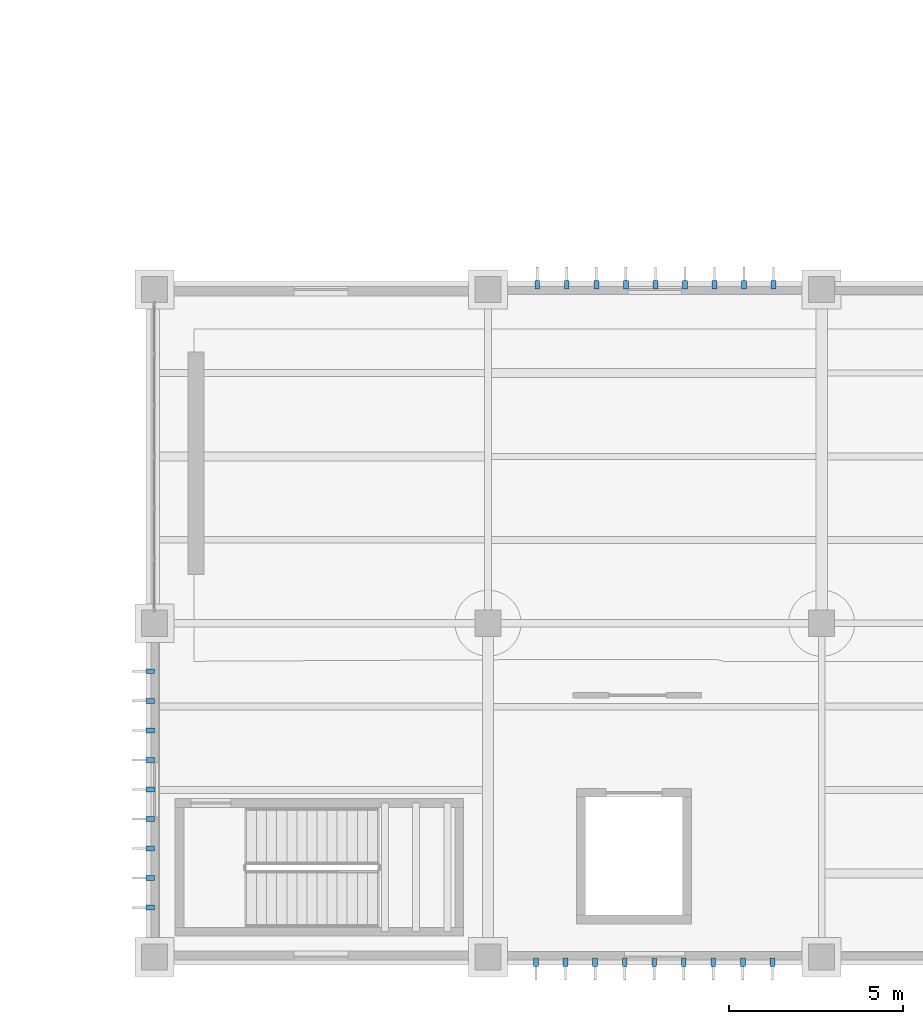
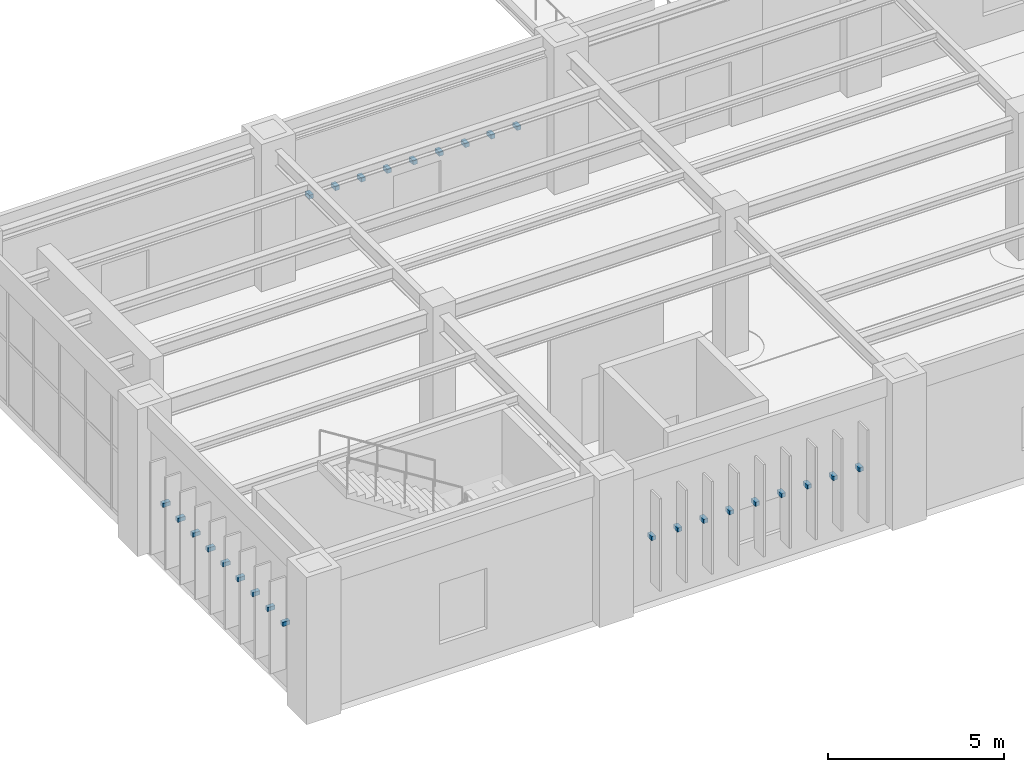
# One storey, part 150 of 174: 27 discrete accessories.
"""IFC4 building model written with IfcOpenShell, lengths in metres."""

from ifc_helpers import new_model, si_unit, direction, frame, origin, origin_2d, place, context, subcontext, project, spatial, rectangle, extrude, material, type_object, element, save


model = new_model("IFC4")

# Units and contexts
model_context = context("Model", 3, precision=1e-05, world=origin(), true_north=direction((0.0, 1.0)))
body_context = subcontext(model_context, "Body", "Model", "MODEL_VIEW")
ifc_project = project(units=[si_unit("LENGTHUNIT", "METRE"), si_unit("AREAUNIT", "SQUARE_METRE"), si_unit("VOLUMEUNIT", "CUBIC_METRE"), si_unit("PLANEANGLEUNIT", "RADIAN"), si_unit("MASSUNIT", "GRAM", prefix="KILO")], contexts=[model_context])

# Site, building, storey
site_placement = place(None, origin())
site = spatial("IfcSite", under=ifc_project, at=site_placement, CompositionType="ELEMENT")
building_placement = place(site_placement, origin())
building = spatial("IfcBuilding", under=site, at=building_placement, Name="Mavantir Sound Aquarium", CompositionType="ELEMENT")
storey_placement = place(building_placement, frame((0.0, 0.0, 5.39990234375)))
storey = spatial("IfcBuildingStorey", under=building, at=storey_placement, Name="L01", CompositionType="ELEMENT", Elevation=5.39990234375)

# Discrete accessories
ifc_material = material(Name="Stainless Steel 316 Marine Facade Bracket", Category="steel")
discrete_accessory_type = type_object("IfcDiscreteAccessoryType", Name="ACC-FIN-BRK", PredefinedType="BRACKET", material=ifc_material)
for number, where, z_axis, x_axis, name in (
    (1, (125.81689453125, 19.3349609375, 2.1865234375), (0.0, 0.0, 1.0), (1.0, 0.0, 0.0), "Solar fin stainless anchor bracket 38"),
    (2, (124.967041015625, 19.3349609375, 2.1865234375), (0.0, 0.0, 1.0), (1.0, 0.0, 0.0), "Solar fin stainless anchor bracket 39"),
    (3, (124.116943359375, 19.3349609375, 2.1865234375), (0.0, 0.0, 1.0), (1.0, 0.0, 0.0), "Solar fin stainless anchor bracket 40"),
    (4, (123.26708984375, 19.3349609375, 2.1865234375), (0.0, 0.0, 1.0), (1.0, 0.0, 0.0), "Solar fin stainless anchor bracket 41"),
    (5, (122.4169921875, 19.3349609375, 2.1865234375), (0.0, 0.0, 1.0), (1.0, 0.0, 0.0), "Solar fin stainless anchor bracket 42"),
    (6, (121.56689453125, 19.3349609375, 2.1865234375), (0.0, 0.0, 1.0), (1.0, 0.0, 0.0), "Solar fin stainless anchor bracket 43"),
    (7, (120.717041015625, 19.3349609375, 2.1865234375), (0.0, 0.0, 1.0), (1.0, 0.0, 0.0), "Solar fin stainless anchor bracket 44"),
    (8, (119.866943359375, 19.3349609375, 2.1865234375), (0.0, 0.0, 1.0), (1.0, 0.0, 0.0), "Solar fin stainless anchor bracket 45"),
    (9, (119.01708984375, 19.3349609375, 2.1865234375), (0.0, 0.0, 1.0), (1.0, 0.0, 0.0), "Solar fin stainless anchor bracket 46"),
    (10, (107.8798828125, 8.217041015625, 2.13330078125), (0.0, 0.0, 1.0), (0.0, 1.0, 0.0), "Solar fin stainless anchor bracket 47"),
    (11, (107.8798828125, 7.366943359375, 2.13330078125), (0.0, 0.0, 1.0), (0.0, 1.0, 0.0), "Solar fin stainless anchor bracket 48"),
    (12, (107.8798828125, 6.51708984375, 2.13330078125), (0.0, 0.0, 1.0), (0.0, 1.0, 0.0), "Solar fin stainless anchor bracket 49"),
    (13, (107.8798828125, 5.6669921875, 2.13330078125), (0.0, 0.0, 1.0), (0.0, 1.0, 0.0), "Solar fin stainless anchor bracket 50"),
    (14, (107.8798828125, 4.81689453125, 2.13330078125), (0.0, 0.0, 1.0), (0.0, 1.0, 0.0), "Solar fin stainless anchor bracket 51"),
    (15, (107.8798828125, 3.967041015625, 2.13330078125), (0.0, 0.0, 1.0), (0.0, 1.0, 0.0), "Solar fin stainless anchor bracket 52"),
    (16, (107.8798828125, 3.116943359375, 2.13330078125), (0.0, 0.0, 1.0), (0.0, 1.0, 0.0), "Solar fin stainless anchor bracket 53"),
    (17, (107.8798828125, 2.26708984375, 2.13330078125), (0.0, 0.0, 1.0), (0.0, 1.0, 0.0), "Solar fin stainless anchor bracket 54"),
    (18, (107.8798828125, 1.4169921875, 2.13330078125), (0.0, 0.0, 1.0), (0.0, 1.0, 0.0), "Solar fin stainless anchor bracket 55"),
    (19, (118.98291015625, -0.155029296875, 2.1865234375), (0.0, 0.0, 1.0), (-1.0, 0.0, 0.0), "Solar fin stainless anchor bracket 56"),
    (20, (119.8330078125, -0.155029296875, 2.1865234375), (0.0, 0.0, 1.0), (-1.0, 0.0, 0.0), "Solar fin stainless anchor bracket 57"),
    (21, (120.68310546875, -0.155029296875, 2.1865234375), (0.0, 0.0, 1.0), (-1.0, 0.0, 0.0), "Solar fin stainless anchor bracket 58"),
    (22, (121.532958984375, -0.155029296875, 2.1865234375), (0.0, 0.0, 1.0), (-1.0, 0.0, 0.0), "Solar fin stainless anchor bracket 59"),
    (23, (122.383056640625, -0.155029296875, 2.1865234375), (0.0, 0.0, 1.0), (-1.0, 0.0, 0.0), "Solar fin stainless anchor bracket 60"),
    (24, (123.23291015625, -0.155029296875, 2.1865234375), (0.0, 0.0, 1.0), (-1.0, 0.0, 0.0), "Solar fin stainless anchor bracket 61"),
    (25, (124.0830078125, -0.155029296875, 2.1865234375), (0.0, 0.0, 1.0), (-1.0, 0.0, 0.0), "Solar fin stainless anchor bracket 62"),
    (26, (124.93310546875, -0.155029296875, 2.1865234375), (0.0, 0.0, 1.0), (-1.0, 0.0, 0.0), "Solar fin stainless anchor bracket 63"),
    (27, (125.782958984375, -0.155029296875, 2.1865234375), (0.0, 0.0, 1.0), (-1.0, 0.0, 0.0), "Solar fin stainless anchor bracket 64"),
):
    element("IfcDiscreteAccessory", number, at=place(storey_placement, frame(where, z_axis=z_axis, x_axis=x_axis)), inside=storey, type_object=discrete_accessory_type, Name=name, PredefinedType="BRACKET", context=body_context, shape_type="SweptSolid", body=[
        extrude(rectangle(XDim=0.139892578125, YDim=0.239990234375, at=origin_2d()), origin(), (0.0, 0.0, 1.0), 0.139892578125),
    ])

save(model, "model.ifc")
